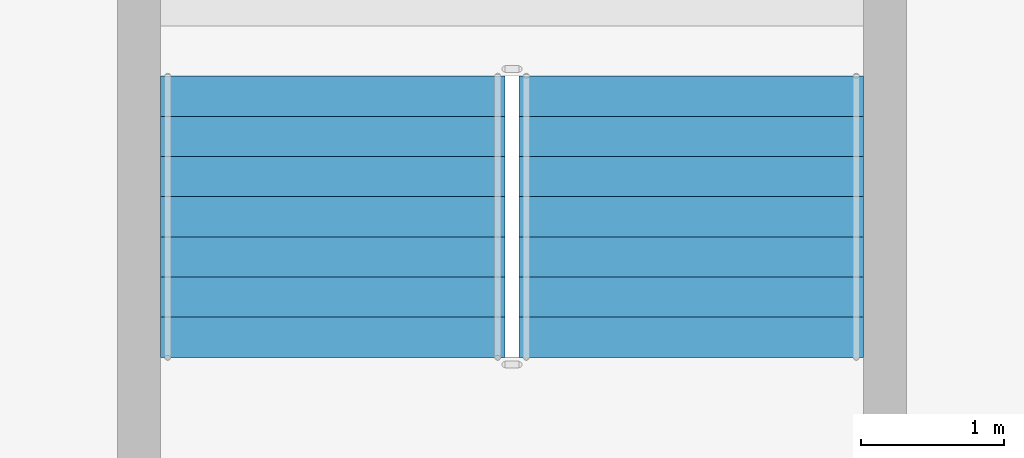
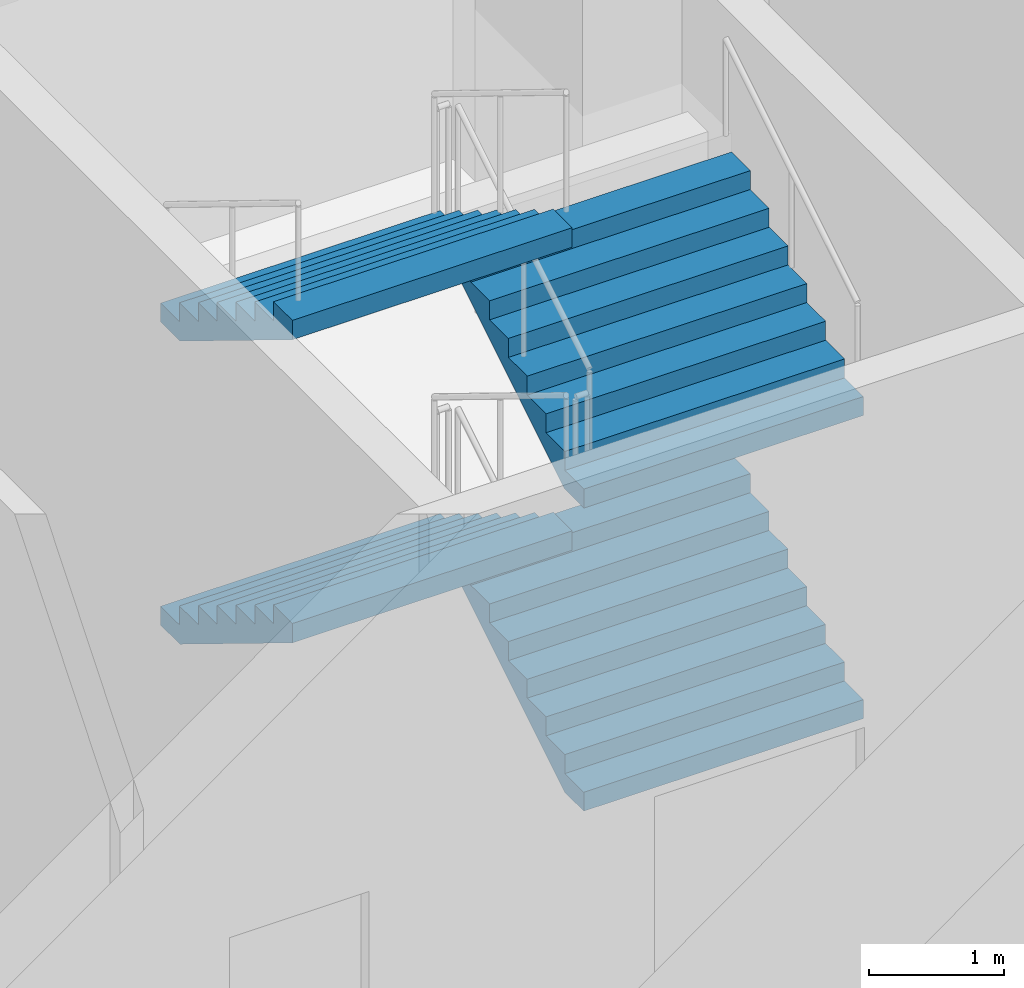
# One storey, part 14 of 31: 4 stair flights, 1 element without a shape of its own.
"""IFC4 building model written with IfcOpenShell, lengths in metres."""

from ifc_helpers import new_model, si_unit, direction, frame, origin, place, context, subcontext, project, spatial, triangles, source, transform, mapped, material, type_object, element, aggregate, save


model = new_model("IFC4")

# Units and contexts
model_context = context("Model", 3, precision=1e-05, world=origin(), true_north=direction((0.0, 1.0)))
body_context = subcontext(model_context, "Body", "Model", "MODEL_VIEW")
ifc_project = project(units=[si_unit("LENGTHUNIT", "METRE"), si_unit("AREAUNIT", "SQUARE_METRE"), si_unit("VOLUMEUNIT", "CUBIC_METRE"), si_unit("PLANEANGLEUNIT", "RADIAN"), si_unit("MASSUNIT", "GRAM", prefix="KILO")], contexts=[model_context])

# Site, building, storey
site_placement = place(None, origin())
site = spatial("IfcSite", under=ifc_project, at=site_placement, CompositionType="ELEMENT")
building_placement = place(site_placement, origin())
building = spatial("IfcBuilding", under=site, at=building_placement, Name="Ogive Portal Towers", CompositionType="ELEMENT")
storey_placement = place(building_placement, frame((0.0, 0.0, 8.0)))
storey = spatial("IfcBuildingStorey", under=building, at=storey_placement, Name="L01", CompositionType="ELEMENT", Elevation=8.0)

# Stair, stair flights
ifc_material = material(Name="Concrete C40/50", Category="concrete")
stair_type = type_object("IfcStairType", Name="INT-STAIR", PredefinedType="HALF_TURN_STAIR", material=ifc_material)
stair_placement = place(storey_placement, origin())
stair = element("IfcStair", 1, at=stair_placement, inside=storey, type_object=stair_type, Name="L01 Exit Stair ST-P2", PredefinedType="HALF_TURN_STAIR")
stair_flight_type = type_object("IfcStairFlightType", Name="INT-FLIGHT", PredefinedType="STRAIGHT", material=ifc_material)
shared_shape = source(origin(), body_context, "Body", "Tessellation", [
    triangles([(0.0, -1.199951171875, 0.0), (0.0, -0.6943359375, 0.0), (0.0, -0.35546875, 0.0), (0.0, -0.14990234375, 0.0), (0.0, -0.04443359375, 0.0), (0.0, -0.005615234375, 0.0), (0.0, 0.0, 0.0), (0.0, 0.005615234375, 0.0), (0.0, 0.04443359375, 0.0), (0.0, 0.14990234375, 0.0), (0.0, 0.35546875, 0.0), (0.0, 0.6943359375, 0.0), (0.0, 1.199951171875, 0.0), (0.0, -1.199951171875, 0.171875), (0.0, -0.6943359375, 0.171875), (0.0, -0.35546875, 0.171875), (0.0, -0.14990234375, 0.171875), (0.0, -0.04443359375, 0.171875), (0.0, -0.005615234375, 0.171875), (0.0, 0.0, 0.171875), (0.0, 0.005615234375, 0.171875), (0.0, 0.04443359375, 0.171875), (0.0, 0.14990234375, 0.171875), (0.0, 0.35546875, 0.171875), (0.0, 0.6943359375, 0.171875), (0.0, 1.199951171875, 0.171875), (0.280029296875, -1.199951171875, 0.171875), (0.280029296875, -0.6943359375, 0.171875), (0.280029296875, -0.35546875, 0.171875), (0.280029296875, -0.14990234375, 0.171875), (0.280029296875, -0.04443359375, 0.171875), (0.280029296875, -0.005615234375, 0.171875), (0.280029296875, 0.0, 0.171875), (0.280029296875, 0.005615234375, 0.171875), (0.280029296875, 0.04443359375, 0.171875), (0.280029296875, 0.14990234375, 0.171875), (0.280029296875, 0.35546875, 0.171875), (0.280029296875, 0.6943359375, 0.171875), (0.280029296875, 1.199951171875, 0.171875), (0.280029296875, -1.199951171875, 0.34375), (0.280029296875, -0.6943359375, 0.34375), (0.280029296875, -0.35546875, 0.34375), (0.280029296875, -0.14990234375, 0.34375), (0.280029296875, -0.04443359375, 0.34375), (0.280029296875, -0.005615234375, 0.34375), (0.280029296875, 0.0, 0.34375), (0.280029296875, 0.005615234375, 0.34375), (0.280029296875, 0.04443359375, 0.34375), (0.280029296875, 0.14990234375, 0.34375), (0.280029296875, 0.35546875, 0.34375), (0.280029296875, 0.6943359375, 0.34375), (0.280029296875, 1.199951171875, 0.34375), (0.56005859375, -1.199951171875, 0.34375), (0.56005859375, -0.6943359375, 0.34375), (0.56005859375, -0.35546875, 0.34375), (0.56005859375, -0.14990234375, 0.34375), (0.56005859375, -0.04443359375, 0.34375), (0.56005859375, -0.005615234375, 0.34375), (0.56005859375, 0.0, 0.34375), (0.56005859375, 0.005615234375, 0.34375), (0.56005859375, 0.04443359375, 0.34375), (0.56005859375, 0.14990234375, 0.34375), (0.56005859375, 0.35546875, 0.34375), (0.56005859375, 0.6943359375, 0.34375), (0.56005859375, 1.199951171875, 0.34375), (0.56005859375, -1.199951171875, 0.515625), (0.56005859375, -0.6943359375, 0.515625), (0.56005859375, -0.35546875, 0.515625), (0.56005859375, -0.14990234375, 0.515625), (0.56005859375, -0.04443359375, 0.515625), (0.56005859375, -0.005615234375, 0.515625), (0.56005859375, 0.0, 0.515625), (0.56005859375, 0.005615234375, 0.515625), (0.56005859375, 0.04443359375, 0.515625), (0.56005859375, 0.14990234375, 0.515625), (0.56005859375, 0.35546875, 0.515625), (0.56005859375, 0.6943359375, 0.515625), (0.56005859375, 1.199951171875, 0.515625), (0.840087890625, -1.199951171875, 0.515625), (0.840087890625, -0.6943359375, 0.515625), (0.840087890625, -0.35546875, 0.515625), (0.840087890625, -0.14990234375, 0.515625), (0.840087890625, -0.04443359375, 0.515625), (0.840087890625, -0.005615234375, 0.515625), (0.840087890625, 0.0, 0.515625), (0.840087890625, 0.005615234375, 0.515625), (0.840087890625, 0.04443359375, 0.515625), (0.840087890625, 0.14990234375, 0.515625), (0.840087890625, 0.35546875, 0.515625), (0.840087890625, 0.6943359375, 0.515625), (0.840087890625, 1.199951171875, 0.515625), (0.840087890625, -1.199951171875, 0.6875), (0.840087890625, -0.6943359375, 0.6875), (0.840087890625, -0.35546875, 0.6875), (0.840087890625, -0.14990234375, 0.6875), (0.840087890625, -0.04443359375, 0.6875), (0.840087890625, -0.005615234375, 0.6875), (0.840087890625, 0.0, 0.6875), (0.840087890625, 0.005615234375, 0.6875), (0.840087890625, 0.04443359375, 0.6875), (0.840087890625, 0.14990234375, 0.6875), (0.840087890625, 0.35546875, 0.6875), (0.840087890625, 0.6943359375, 0.6875), (0.840087890625, 1.199951171875, 0.6875), (1.1201171875, -1.199951171875, 0.6875), (1.1201171875, -0.6943359375, 0.6875), (1.1201171875, -0.35546875, 0.6875), (1.1201171875, -0.14990234375, 0.6875), (1.1201171875, -0.04443359375, 0.6875), (1.1201171875, -0.005615234375, 0.6875), (1.1201171875, 0.0, 0.6875), (1.1201171875, 0.005615234375, 0.6875), (1.1201171875, 0.04443359375, 0.6875), (1.1201171875, 0.14990234375, 0.6875), (1.1201171875, 0.35546875, 0.6875), (1.1201171875, 0.6943359375, 0.6875), (1.1201171875, 1.199951171875, 0.6875), (1.1201171875, -1.199951171875, 0.859375), (1.1201171875, -0.6943359375, 0.859375), (1.1201171875, -0.35546875, 0.859375), (1.1201171875, -0.14990234375, 0.859375), (1.1201171875, -0.04443359375, 0.859375), (1.1201171875, -0.005615234375, 0.859375), (1.1201171875, 0.0, 0.859375), (1.1201171875, 0.005615234375, 0.859375), (1.1201171875, 0.04443359375, 0.859375), (1.1201171875, 0.14990234375, 0.859375), (1.1201171875, 0.35546875, 0.859375), (1.1201171875, 0.6943359375, 0.859375), (1.1201171875, 1.199951171875, 0.859375), (1.39990234375, -1.199951171875, 0.859375), (1.39990234375, -0.6943359375, 0.859375), (1.39990234375, -0.35546875, 0.859375), (1.39990234375, -0.14990234375, 0.859375), (1.39990234375, -0.04443359375, 0.859375), (1.39990234375, -0.005615234375, 0.859375), (1.39990234375, 0.0, 0.859375), (1.39990234375, 0.005615234375, 0.859375), (1.39990234375, 0.04443359375, 0.859375), (1.39990234375, 0.14990234375, 0.859375), (1.39990234375, 0.35546875, 0.859375), (1.39990234375, 0.6943359375, 0.859375), (1.39990234375, 1.199951171875, 0.859375), (1.39990234375, -1.199951171875, 1.03125), (1.39990234375, -0.6943359375, 1.03125), (1.39990234375, -0.35546875, 1.03125), (1.39990234375, -0.14990234375, 1.03125), (1.39990234375, -0.04443359375, 1.03125), (1.39990234375, -0.005615234375, 1.03125), (1.39990234375, 0.0, 1.03125), (1.39990234375, 0.005615234375, 1.03125), (1.39990234375, 0.04443359375, 1.03125), (1.39990234375, 0.14990234375, 1.03125), (1.39990234375, 0.35546875, 1.03125), (1.39990234375, 0.6943359375, 1.03125), (1.39990234375, 1.199951171875, 1.03125), (1.679931640625, -1.199951171875, 1.03125), (1.679931640625, -0.6943359375, 1.03125), (1.679931640625, -0.35546875, 1.03125), (1.679931640625, -0.14990234375, 1.03125), (1.679931640625, -0.04443359375, 1.03125), (1.679931640625, -0.005615234375, 1.03125), (1.679931640625, 0.0, 1.03125), (1.679931640625, 0.005615234375, 1.03125), (1.679931640625, 0.04443359375, 1.03125), (1.679931640625, 0.14990234375, 1.03125), (1.679931640625, 0.35546875, 1.03125), (1.679931640625, 0.6943359375, 1.03125), (1.679931640625, 1.199951171875, 1.03125), (1.679931640625, -1.199951171875, 1.203125), (1.679931640625, -0.6943359375, 1.203125), (1.679931640625, -0.35546875, 1.203125), (1.679931640625, -0.14990234375, 1.203125), (1.679931640625, -0.04443359375, 1.203125), (1.679931640625, -0.005615234375, 1.203125), (1.679931640625, 0.0, 1.203125), (1.679931640625, 0.005615234375, 1.203125), (1.679931640625, 0.04443359375, 1.203125), (1.679931640625, 0.14990234375, 1.203125), (1.679931640625, 0.35546875, 1.203125), (1.679931640625, 0.6943359375, 1.203125), (1.679931640625, 1.199951171875, 1.203125), (1.9599609375, -1.199951171875, 1.203125), (1.9599609375, -0.6943359375, 1.203125), (1.9599609375, -0.35546875, 1.203125), (1.9599609375, -0.14990234375, 1.203125), (1.9599609375, -0.04443359375, 1.203125), (1.9599609375, -0.005615234375, 1.203125), (1.9599609375, 0.0, 1.203125), (1.9599609375, 0.005615234375, 1.203125), (1.9599609375, 0.04443359375, 1.203125), (1.9599609375, 0.14990234375, 1.203125), (1.9599609375, 0.35546875, 1.203125), (1.9599609375, 0.6943359375, 1.203125), (1.9599609375, 1.199951171875, 1.203125), (1.9599609375, -1.199951171875, 1.02734375), (1.9599609375, -0.6943359375, 1.02734375), (1.9599609375, -0.35546875, 1.02734375), (1.9599609375, -0.14990234375, 1.02734375), (1.9599609375, -0.04443359375, 1.02734375), (1.9599609375, -0.005615234375, 1.02734375), (1.9599609375, 0.0, 1.02734375), (1.9599609375, 0.005615234375, 1.02734375), (1.9599609375, 0.04443359375, 1.02734375), (1.9599609375, 0.14990234375, 1.02734375), (1.9599609375, 0.35546875, 1.02734375), (1.9599609375, 0.6943359375, 1.02734375), (1.9599609375, 1.199951171875, 1.02734375), (0.28662109375, -1.199951171875, 0.0), (0.28662109375, -0.6943359375, 0.0), (0.28662109375, -0.35546875, 0.0), (0.28662109375, -0.14990234375, 0.0), (0.28662109375, -0.04443359375, 0.0), (0.28662109375, -0.005615234375, 0.0), (0.28662109375, 0.0, 0.0), (0.28662109375, 0.005615234375, 0.0), (0.28662109375, 0.04443359375, 0.0), (0.28662109375, 0.14990234375, 0.0), (0.28662109375, 0.35546875, 0.0), (0.28662109375, 0.6943359375, 0.0), (0.28662109375, 1.199951171875, 0.0)], [[1, 14, 15], [1, 15, 2], [2, 15, 16], [2, 16, 3], [3, 16, 17], [3, 17, 4], [4, 17, 18], [4, 18, 5], [5, 18, 19], [5, 19, 6], [6, 19, 20], [6, 20, 7], [7, 20, 21], [7, 21, 8], [8, 21, 22], [8, 22, 9], [9, 22, 23], [9, 23, 10], [10, 23, 24], [10, 24, 11], [11, 24, 25], [11, 25, 12], [12, 25, 26], [12, 26, 13], [14, 27, 28], [14, 28, 15], [15, 28, 29], [15, 29, 16], [16, 29, 30], [16, 30, 17], [17, 30, 31], [17, 31, 18], [18, 31, 32], [18, 32, 19], [19, 32, 33], [19, 33, 20], [20, 33, 34], [20, 34, 21], [21, 34, 35], [21, 35, 22], [22, 35, 36], [22, 36, 23], [23, 36, 37], [23, 37, 24], [24, 37, 38], [24, 38, 25], [25, 38, 39], [25, 39, 26], [27, 40, 41], [27, 41, 28], [28, 41, 42], [28, 42, 29], [29, 42, 43], [29, 43, 30], [30, 43, 44], [30, 44, 31], [31, 44, 45], [31, 45, 32], [32, 45, 46], [32, 46, 33], [33, 46, 47], [33, 47, 34], [34, 47, 48], [34, 48, 35], [35, 48, 49], [35, 49, 36], [36, 49, 50], [36, 50, 37], [37, 50, 51], [37, 51, 38], [38, 51, 52], [38, 52, 39], [40, 53, 54], [40, 54, 41], [41, 54, 55], [41, 55, 42], [42, 55, 56], [42, 56, 43], [43, 56, 57], [43, 57, 44], [44, 57, 58], [44, 58, 45], [45, 58, 59], [45, 59, 46], [46, 59, 60], [46, 60, 47], [47, 60, 61], [47, 61, 48], [48, 61, 62], [48, 62, 49], [49, 62, 63], [49, 63, 50], [50, 63, 64], [50, 64, 51], [51, 64, 65], [51, 65, 52], [53, 66, 67], [53, 67, 54], [54, 67, 68], [54, 68, 55], [55, 68, 69], [55, 69, 56], [56, 69, 70], [56, 70, 57], [57, 70, 71], [57, 71, 58], [58, 71, 72], [58, 72, 59], [59, 72, 73], [59, 73, 60], [60, 73, 74], [60, 74, 61], [61, 74, 75], [61, 75, 62], [62, 75, 76], [62, 76, 63], [63, 76, 77], [63, 77, 64], [64, 77, 78], [64, 78, 65], [66, 79, 80], [66, 80, 67], [67, 80, 81], [67, 81, 68], [68, 81, 82], [68, 82, 69], [69, 82, 83], [69, 83, 70], [70, 83, 84], [70, 84, 71], [71, 84, 85], [71, 85, 72], [72, 85, 86], [72, 86, 73], [73, 86, 87], [73, 87, 74], [74, 87, 88], [74, 88, 75], [75, 88, 89], [75, 89, 76], [76, 89, 90], [76, 90, 77], [77, 90, 91], [77, 91, 78], [79, 92, 93], [79, 93, 80], [80, 93, 94], [80, 94, 81], [81, 94, 95], [81, 95, 82], [82, 95, 96], [82, 96, 83], [83, 96, 97], [83, 97, 84], [84, 97, 98], [84, 98, 85], [85, 98, 99], [85, 99, 86], [86, 99, 100], [86, 100, 87], [87, 100, 101], [87, 101, 88], [88, 101, 102], [88, 102, 89], [89, 102, 103], [89, 103, 90], [90, 103, 104], [90, 104, 91], [92, 105, 106], [92, 106, 93], [93, 106, 107], [93, 107, 94], [94, 107, 108], [94, 108, 95], [95, 108, 109], [95, 109, 96], [96, 109, 110], [96, 110, 97], [97, 110, 111], [97, 111, 98], [98, 111, 112], [98, 112, 99], [99, 112, 113], [99, 113, 100], [100, 113, 114], [100, 114, 101], [101, 114, 115], [101, 115, 102], [102, 115, 116], [102, 116, 103], [103, 116, 117], [103, 117, 104], [105, 118, 119], [105, 119, 106], [106, 119, 120], [106, 120, 107], [107, 120, 121], [107, 121, 108], [108, 121, 122], [108, 122, 109], [109, 122, 123], [109, 123, 110], [110, 123, 124], [110, 124, 111], [111, 124, 125], [111, 125, 112], [112, 125, 126], [112, 126, 113], [113, 126, 127], [113, 127, 114], [114, 127, 128], [114, 128, 115], [115, 128, 129], [115, 129, 116], [116, 129, 130], [116, 130, 117], [118, 131, 132], [118, 132, 119], [119, 132, 133], [119, 133, 120], [120, 133, 134], [120, 134, 121], [121, 134, 135], [121, 135, 122], [122, 135, 136], [122, 136, 123], [123, 136, 137], [123, 137, 124], [124, 137, 138], [124, 138, 125], [125, 138, 139], [125, 139, 126], [126, 139, 140], [126, 140, 127], [127, 140, 141], [127, 141, 128], [128, 141, 142], [128, 142, 129], [129, 142, 143], [129, 143, 130], [131, 144, 145], [131, 145, 132], [132, 145, 146], [132, 146, 133], [133, 146, 147], [133, 147, 134], [134, 147, 148], [134, 148, 135], [135, 148, 149], [135, 149, 136], [136, 149, 150], [136, 150, 137], [137, 150, 151], [137, 151, 138], [138, 151, 152], [138, 152, 139], [139, 152, 153], [139, 153, 140], [140, 153, 154], [140, 154, 141], [141, 154, 155], [141, 155, 142], [142, 155, 156], [142, 156, 143], [144, 157, 158], [144, 158, 145], [145, 158, 159], [145, 159, 146], [146, 159, 160], [146, 160, 147], [147, 160, 161], [147, 161, 148], [148, 161, 162], [148, 162, 149], [149, 162, 163], [149, 163, 150], [150, 163, 164], [150, 164, 151], [151, 164, 165], [151, 165, 152], [152, 165, 166], [152, 166, 153], [153, 166, 167], [153, 167, 154], [154, 167, 168], [154, 168, 155], [155, 168, 169], [155, 169, 156], [157, 170, 171], [157, 171, 158], [158, 171, 172], [158, 172, 159], [159, 172, 173], [159, 173, 160], [160, 173, 174], [160, 174, 161], [161, 174, 175], [161, 175, 162], [162, 175, 176], [162, 176, 163], [163, 176, 177], [163, 177, 164], [164, 177, 178], [164, 178, 165], [165, 178, 179], [165, 179, 166], [166, 179, 180], [166, 180, 167], [167, 180, 181], [167, 181, 168], [168, 181, 182], [168, 182, 169], [170, 183, 184], [170, 184, 171], [171, 184, 185], [171, 185, 172], [172, 185, 186], [172, 186, 173], [173, 186, 187], [173, 187, 174], [174, 187, 188], [174, 188, 175], [175, 188, 189], [175, 189, 176], [176, 189, 190], [176, 190, 177], [177, 190, 191], [177, 191, 178], [178, 191, 192], [178, 192, 179], [179, 192, 193], [179, 193, 180], [180, 193, 194], [180, 194, 181], [181, 194, 195], [181, 195, 182], [183, 196, 197], [183, 197, 184], [184, 197, 198], [184, 198, 185], [185, 198, 199], [185, 199, 186], [186, 199, 200], [186, 200, 187], [187, 200, 201], [187, 201, 188], [188, 201, 202], [188, 202, 189], [189, 202, 203], [189, 203, 190], [190, 203, 204], [190, 204, 191], [191, 204, 205], [191, 205, 192], [192, 205, 206], [192, 206, 193], [193, 206, 207], [193, 207, 194], [194, 207, 208], [194, 208, 195], [196, 209, 210], [196, 210, 197], [197, 210, 211], [197, 211, 198], [198, 211, 212], [198, 212, 199], [199, 212, 213], [199, 213, 200], [200, 213, 214], [200, 214, 201], [201, 214, 215], [201, 215, 202], [202, 215, 216], [202, 216, 203], [203, 216, 217], [203, 217, 204], [204, 217, 218], [204, 218, 205], [205, 218, 219], [205, 219, 206], [206, 219, 220], [206, 220, 207], [207, 220, 221], [207, 221, 208], [209, 1, 2], [209, 2, 210], [210, 2, 3], [210, 3, 211], [211, 3, 4], [211, 4, 212], [212, 4, 5], [212, 5, 213], [213, 5, 6], [213, 6, 214], [214, 6, 7], [214, 7, 215], [215, 7, 8], [215, 8, 216], [216, 8, 9], [216, 9, 217], [217, 9, 10], [217, 10, 218], [218, 10, 11], [218, 11, 219], [219, 11, 12], [219, 12, 220], [220, 12, 13], [220, 13, 221], [1, 209, 196], [13, 208, 221], [196, 183, 170], [208, 182, 195], [196, 170, 157], [208, 169, 182], [196, 157, 144], [208, 156, 169], [196, 144, 131], [208, 143, 156], [131, 118, 105], [143, 117, 130], [196, 131, 105], [208, 117, 143], [105, 92, 79], [117, 91, 104], [196, 105, 79], [208, 91, 117], [79, 66, 53], [91, 65, 78], [196, 79, 53], [208, 65, 91], [53, 40, 27], [65, 39, 52], [196, 53, 27], [208, 39, 65], [1, 196, 27], [13, 39, 208], [27, 14, 1], [39, 13, 26]], closed=True),
])
stair_flight_1_placement = place(storey_placement, frame((39.35009765625, 45.0, 0.0), z_axis=(0.0, 0.0, 1.0), x_axis=(0.0, 1.0, 0.0)))
stair_flight_1 = element("IfcStairFlight", 2, at=stair_flight_1_placement, type_object=stair_flight_type, Name="ST-P2 flight 1", NumberOfRisers=8, NumberOfTreads=7, PredefinedType="STRAIGHT", RiserHeight=0.171875, TreadLength=0.28, context=body_context, shape_type="MappedRepresentation", body=[
    mapped(shared_shape, transform((0.0, 0.0, 0.0), scale=1.0)),
])
stair_flight_2_placement = place(storey_placement, frame((36.85009765625, 46.9599609375, 1.375), z_axis=(0.0, 0.0, 1.0), x_axis=(0.0, -1.0, 0.0)))
stair_flight_2 = element("IfcStairFlight", 3, at=stair_flight_2_placement, type_object=stair_flight_type, Name="ST-P2 flight 2", NumberOfRisers=8, NumberOfTreads=7, PredefinedType="STRAIGHT", RiserHeight=0.171875, TreadLength=0.28, context=body_context, shape_type="MappedRepresentation", body=[
    mapped(shared_shape, transform((0.0, 0.0, 0.0), scale=1.0)),
])
stair_flight_3_placement = place(storey_placement, frame((39.35009765625, 45.0, 2.75), z_axis=(0.0, 0.0, 1.0), x_axis=(0.0, 1.0, 0.0)))
stair_flight_3 = element("IfcStairFlight", 4, at=stair_flight_3_placement, type_object=stair_flight_type, Name="ST-P2 flight 3", NumberOfRisers=8, NumberOfTreads=7, PredefinedType="STRAIGHT", RiserHeight=0.171875, TreadLength=0.28, context=body_context, shape_type="MappedRepresentation", body=[
    mapped(shared_shape, transform((0.0, 0.0, 0.0), scale=1.0)),
])
stair_flight_4_placement = place(storey_placement, frame((36.85009765625, 46.9599609375, 4.125), z_axis=(0.0, 0.0, 1.0), x_axis=(0.0, -1.0, 0.0)))
stair_flight_4 = element("IfcStairFlight", 5, at=stair_flight_4_placement, type_object=stair_flight_type, Name="ST-P2 flight 4", NumberOfRisers=8, NumberOfTreads=7, PredefinedType="STRAIGHT", RiserHeight=0.171875, TreadLength=0.28, context=body_context, shape_type="MappedRepresentation", body=[
    mapped(shared_shape, transform((0.0, 0.0, 0.0), scale=1.0)),
])
aggregate(stair, [stair_flight_1, stair_flight_2, stair_flight_3, stair_flight_4])

save(model, "model.ifc")
